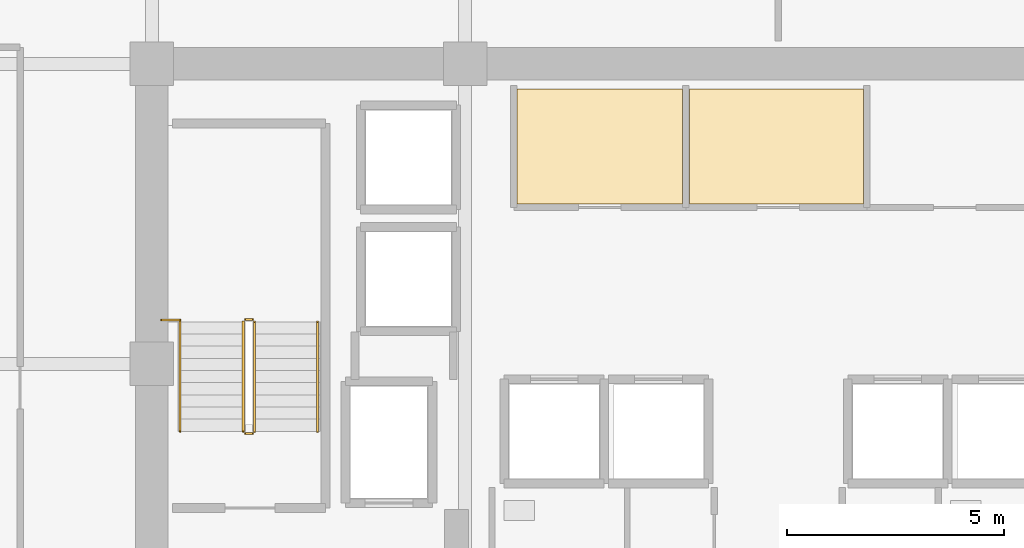
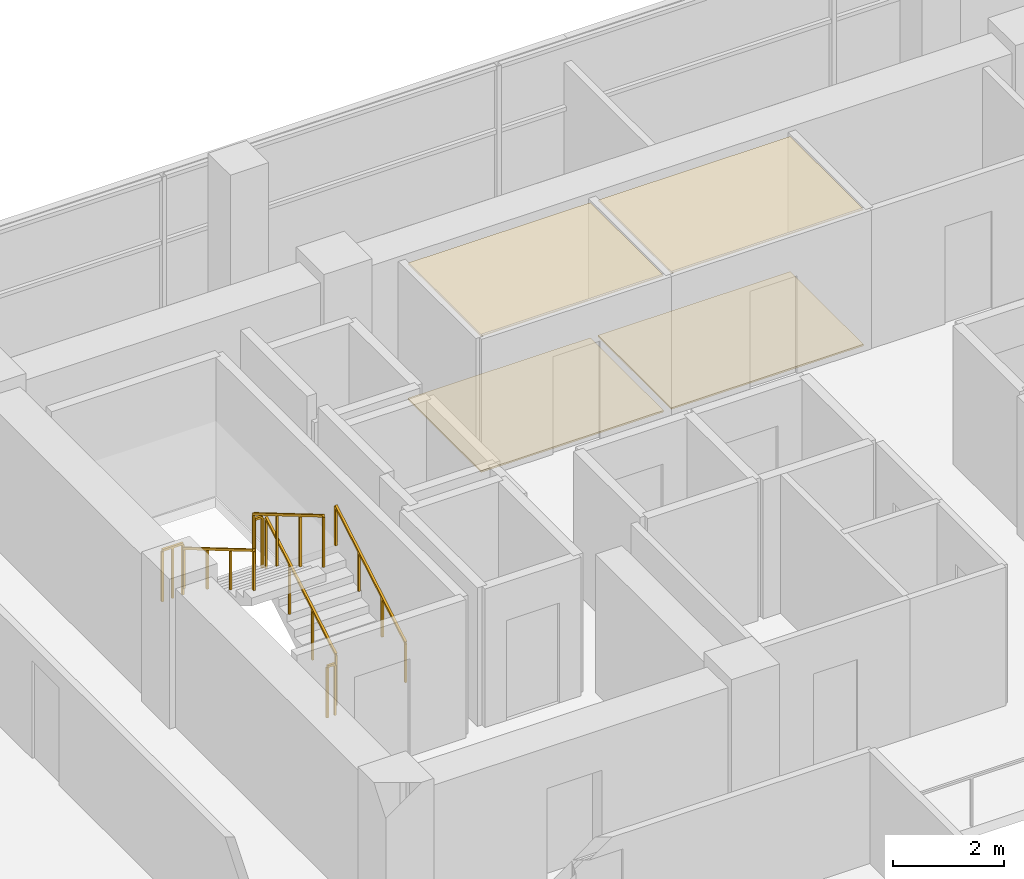
# One storey, part 20 of 22: 7 railings, 4 coverings.
"""IFC4 building model written with IfcOpenShell, lengths in metres."""

import ifcopenshell
import ifcopenshell.guid

model = None  # the IFC model being written
_history = None  # IfcOwnerHistory: only IFC2X3 demands one
_inside = {}  # id of a spatial element -> (the spatial element, [elements in it])
_under = {}  # id of a project, library or spatial element -> (it, [spatial elements below it])
_declared = {}  # id of a project -> (the project, [libraries it declares])
_typed = {}  # id of a type object -> (the type object, [elements of that type])
_made_of = {}  # id of a material, layer set ... -> (it, [elements and type objects made of it])


def new_model(schema):
    """Start an empty IFC model of exactly this schema.

    Asked for "IFC4X3", IfcOpenShell would pick the latest addendum, in which some entities
    have other attributes; the version numbers below select the first issue.
    IFC2X3 requires an IfcOwnerHistory on every rooted entity: one is made here for all.
    """
    global model, _history
    if schema == "IFC4X3":
        model = ifcopenshell.file(schema_version=(4, 3, 0, 0))
    else:
        model = ifcopenshell.file(schema=schema)
    _inside.clear()
    _under.clear()
    _declared.clear()
    _typed.clear()
    _made_of.clear()
    _history = None
    if model.schema == "IFC2X3":
        org = make("IfcOrganization", Name="unknown")
        user = make(
            "IfcPersonAndOrganization",
            ThePerson=make("IfcPerson", FamilyName="unknown"),
            TheOrganization=org,
        )
        app = make(
            "IfcApplication",
            ApplicationDeveloper=org,
            Version="unknown",
            ApplicationFullName="unknown",
            ApplicationIdentifier="unknown",
        )
        _history = make(
            "IfcOwnerHistory",
            OwningUser=user,
            OwningApplication=app,
            ChangeAction="ADDED",
            CreationDate=0,
        )
    return model


def make(cls, **values):
    """One entity of the class cls with the attributes given. An attribute that is None is left unset."""
    return model.create_entity(
        cls, **{name: value for name, value in values.items() if value is not None}
    )


def rooted(cls, **values):
    """An entity with a GlobalId (a new one), such as an element, a storey or a relation."""
    return make(cls, GlobalId=ifcopenshell.guid.new(), OwnerHistory=_history, **values)


def si_unit(unit_type, name, prefix=None):
    """IfcSIUnit, for example si_unit("LENGTHUNIT", "METRE", prefix="MILLI")."""
    return make("IfcSIUnit", UnitType=unit_type, Prefix=prefix, Name=name)


def assignment(units):
    """IfcUnitAssignment: the units of a project."""
    return None if units is None else make("IfcUnitAssignment", Units=units)


def point(xyz):
    """IfcCartesianPoint."""
    return None if xyz is None else make("IfcCartesianPoint", Coordinates=xyz)


def direction(xyz):
    """IfcDirection."""
    return None if xyz is None else make("IfcDirection", DirectionRatios=xyz)


def frame(location, z_axis=None, x_axis=None):
    """IfcAxis2Placement3D, a coordinate frame: its origin and axes. An axis left out is left unset."""
    return make(
        "IfcAxis2Placement3D",
        Location=point(location),
        Axis=direction(z_axis),
        RefDirection=direction(x_axis),
    )


def frame_2d(location, x_axis=None):
    """IfcAxis2Placement2D, a coordinate frame in the plane: its origin and x axis."""
    return make(
        "IfcAxis2Placement2D", Location=point(location), RefDirection=direction(x_axis)
    )


def origin():
    """The frame at (0, 0, 0) with its axes left unset."""
    return frame((0.0, 0.0, 0.0))


def origin_2d():
    """The frame at (0, 0) in the plane with its x axis left unset."""
    return frame_2d((0.0, 0.0))


def place(relative_to, where):
    """IfcLocalPlacement: puts the frame where relative to a parent placement (None: the world)."""
    return make(
        "IfcLocalPlacement", PlacementRelTo=relative_to, RelativePlacement=where
    )


def context(
    kind, dimensions, precision=None, world=None, true_north=None, identifier=None
):
    """IfcGeometricRepresentationContext, for example the 3D "Model" context."""
    return make(
        "IfcGeometricRepresentationContext",
        ContextIdentifier=identifier,
        ContextType=kind,
        CoordinateSpaceDimension=dimensions,
        Precision=precision,
        WorldCoordinateSystem=world,
        TrueNorth=true_north,
    )


def subcontext(parent, identifier, kind, view, scale=None):
    """IfcGeometricRepresentationSubContext, for example "Body" below "Model"."""
    return make(
        "IfcGeometricRepresentationSubContext",
        ContextIdentifier=identifier,
        ContextType=kind,
        ParentContext=parent,
        TargetScale=scale,
        TargetView=view,
    )


def project(units=None, contexts=None):
    """IfcProject with its units and contexts."""
    return rooted(
        "IfcProject",
        Name="project",
        RepresentationContexts=contexts,
        UnitsInContext=assignment(units),
    )


def spatial(cls, under=None, at=None, **own):
    """A site, building, storey or space (cls), placed at a placement, below another one or the project."""
    s = rooted(cls, ObjectPlacement=at, **own)
    if under is not None:
        _under.setdefault(under.id(), (under, []))[1].append(s)
    return s


def polyline(points):
    """IfcPolyline through the points."""
    return make("IfcPolyline", Points=[point(p) for p in points])


def profile(cls, at=None, kind="AREA", **sizes):
    """A parametric profile (cls). Its sizes go by their IFC names, for example OverallWidth=200.0."""
    return make(cls, ProfileType=kind, Position=at, **sizes)


def rectangle(**sizes):
    """IfcRectangleProfileDef."""
    return profile("IfcRectangleProfileDef", **sizes)


def outline(outer, holes=None, kind="AREA"):
    """IfcArbitraryClosedProfileDef: a profile drawn as a closed curve; with holes, ...WithVoids."""
    if holes is None:
        return make("IfcArbitraryClosedProfileDef", ProfileType=kind, OuterCurve=outer)
    return make(
        "IfcArbitraryProfileDefWithVoids",
        ProfileType=kind,
        OuterCurve=outer,
        InnerCurves=holes,
    )


def extrude(swept, where, along, depth):
    """IfcExtrudedAreaSolid: the profile swept, set in the frame where, extruded along a direction by depth."""
    return make(
        "IfcExtrudedAreaSolid",
        SweptArea=swept,
        Position=where,
        ExtrudedDirection=direction(along),
        Depth=depth,
    )


def shape(context_of_items, identifier, shape_type, items):
    """IfcShapeRepresentation: the items that make up one representation, for example the "Body"."""
    return make(
        "IfcShapeRepresentation",
        ContextOfItems=context_of_items,
        RepresentationIdentifier=identifier,
        RepresentationType=shape_type,
        Items=items,
    )


def material(Name=None, Category=None):
    """IfcMaterial."""
    return make("IfcMaterial", Name=Name, Category=Category)


def layer(
    of_material, thickness, ventilated=None, Name=None, Category=None, Priority=None
):
    """IfcMaterialLayer: one layer of a wall or slab, of a material (None: an air gap)."""
    return make(
        "IfcMaterialLayer",
        Material=of_material,
        LayerThickness=thickness,
        IsVentilated=ventilated,
        Name=Name,
        Category=Category,
        Priority=Priority,
    )


def layer_set(layers, Name=None):
    """IfcMaterialLayerSet."""
    return make("IfcMaterialLayerSet", MaterialLayers=layers, LayerSetName=Name)


def made_of(thing, what):
    """Note that an element or type object is made of a material, layer set ...; save() writes the relation."""
    if what is not None:
        _made_of.setdefault(what.id(), (what, []))[1].append(thing)
    return thing


def type_object(cls, material=None, **own):
    """A type object (cls), such as IfcWallType, which elements share."""
    return made_of(rooted(cls, **own), material)


def element(
    cls,
    number,
    at=None,
    inside=None,
    cuts=None,
    type_object=None,
    material=None,
    context=None,
    identifier="Body",
    shape_type=None,
    held_by="IfcProductDefinitionShape",
    body=None,
    shapes=None,
    **own,
):
    """One element of the class cls, such as IfcWall. Its Tag is "e" and its number.

    at: its placement. inside: the storey or other place that contains it. cuts: it is an
    opening in that element (IfcRelVoidsElement). A single representation is given by context,
    identifier, shape_type and body (its items); several are given by shapes. held_by: the class
    of the entity that holds the representations. save() writes the other relations.
    """
    e = rooted(cls, Tag="e%d" % number, ObjectPlacement=at, **own)
    if body is not None:
        shapes = [shape(context, identifier, shape_type, body)]
    if shapes is not None:
        e.Representation = make(held_by, Representations=shapes)
    if inside is not None:
        _inside.setdefault(inside.id(), (inside, []))[1].append(e)
    if cuts is not None:
        rooted(
            "IfcRelVoidsElement", RelatingBuildingElement=cuts, RelatedOpeningElement=e
        )
    if type_object is not None:
        _typed.setdefault(type_object.id(), (type_object, []))[1].append(e)
    return made_of(e, material)


def aggregate(whole, parts):
    """IfcRelAggregates: a whole, such as a stair, and the parts it consists of."""
    return rooted("IfcRelAggregates", RelatingObject=whole, RelatedObjects=parts)


def save(model, path):
    """Write the relations noted so far, then the file.

    IfcRelAggregates (storeys below a building ...), IfcRelContainedInSpatialStructure (elements
    in a storey), IfcRelDefinesByType, IfcRelAssociatesMaterial and IfcRelDeclares: one each for
    every whole, place, type object, material and project.
    """
    for whole, parts in _under.values():
        aggregate(whole, parts)
    for where, things in _inside.values():
        rooted(
            "IfcRelContainedInSpatialStructure",
            RelatedElements=things,
            RelatingStructure=where,
        )
    for kind, things in _typed.values():
        rooted("IfcRelDefinesByType", RelatedObjects=things, RelatingType=kind)
    for what, things in _made_of.values():
        rooted("IfcRelAssociatesMaterial", RelatedObjects=things, RelatingMaterial=what)
    for by, libraries in _declared.values():
        rooted("IfcRelDeclares", RelatingContext=by, RelatedDefinitions=libraries)
    model.write(path)


model = new_model("IFC4")

# Units and contexts
model_context = context("Model", 3, precision=1e-05, world=origin(), true_north=direction((0.0, 1.0)))
body_context = subcontext(model_context, "Body", "Model", "MODEL_VIEW")
ifc_project = project(units=[si_unit("LENGTHUNIT", "METRE"), si_unit("AREAUNIT", "SQUARE_METRE"), si_unit("VOLUMEUNIT", "CUBIC_METRE"), si_unit("PLANEANGLEUNIT", "RADIAN"), si_unit("MASSUNIT", "GRAM", prefix="KILO")], contexts=[model_context])

# Site, building, storey
site_placement = place(None, origin())
site = spatial("IfcSite", under=ifc_project, at=site_placement, CompositionType="ELEMENT")
building_placement = place(site_placement, origin())
building = spatial("IfcBuilding", under=site, at=building_placement, Name="Zarnakvel Exchange Tower", CompositionType="ELEMENT")
storey_placement = place(building_placement, frame((0.0, 0.0, 136.300048828125)))
storey = spatial("IfcBuildingStorey", under=building, at=storey_placement, Name="L38", CompositionType="ELEMENT", Elevation=136.300048828125)

# Coverings
ifc_material_1 = material(Name="Perforated Bronze Acoustic Metal Ceiling", Category="aluminium")
ifc_layer_1 = layer(ifc_material_1, 0.02001953125)
ifc_layer_set_1 = layer_set([ifc_layer_1], Name="Perforated Bronze Acoustic Metal Ceiling")
covering_type_1 = type_object("IfcCoveringType", Name="CLG-01", PredefinedType="CEILING", material=ifc_layer_set_1)
covering_1_placement = place(storey_placement, frame((0.0, 0.0, 2.989990234375)))
element("IfcCovering", 1, at=covering_1_placement, inside=storey, type_object=covering_type_1, Name="L38 Suspended Acoustic Ceiling (Clearing Records Office)", PredefinedType="CEILING", context=body_context, shape_type="SweptSolid", body=[
    extrude(outline(polyline([(-6.0, 12.919921875), (-2.199951171875, 12.919921875), (-2.199951171875, 10.280029296875), (-6.0, 10.280029296875), (-6.0, 12.919921875)])), origin(), (0.0, 0.0, 1.0), 0.02001953125),
])
covering_2_placement = place(storey_placement, frame((0.0, 0.0, 2.989990234375)))
element("IfcCovering", 2, at=covering_2_placement, inside=storey, type_object=covering_type_1, Name="L38 Suspended Acoustic Ceiling (Brokerage Filing Room)", PredefinedType="CEILING", context=body_context, shape_type="SweptSolid", body=[
    extrude(outline(polyline([(-2.0400390625, 12.919921875), (1.9599609375, 12.919921875), (1.9599609375, 10.280029296875), (-2.0400390625, 10.280029296875), (-2.0400390625, 12.919921875)])), origin(), (0.0, 0.0, 1.0), 0.02001953125),
])
ifc_material_2 = material(Name="Heavy-Duty Raised Access Floor Panel", Category="steel")
ifc_layer_2 = layer(ifc_material_2, 0.034912109375)
ifc_layer_set_2 = layer_set([ifc_layer_2], Name="Heavy-Duty Raised Access Floor Panel")
covering_type_2 = type_object("IfcCoveringType", Name="FLR-02", PredefinedType="FLOORING", material=ifc_layer_set_2)
covering_3_placement = place(storey_placement, origin())
element("IfcCovering", 3, at=covering_3_placement, inside=storey, type_object=covering_type_2, Name="L38 Floor Finish (Clearing Records Office)", PredefinedType="FLOORING", context=body_context, shape_type="SweptSolid", body=[
    extrude(outline(polyline([(-6.0, 12.919921875), (-2.199951171875, 12.919921875), (-2.199951171875, 10.280029296875), (-6.0, 10.280029296875), (-6.0, 12.919921875)])), origin(), (0.0, 0.0, 1.0), 0.034912109375),
])
covering_4_placement = place(storey_placement, origin())
element("IfcCovering", 4, at=covering_4_placement, inside=storey, type_object=covering_type_2, Name="L38 Floor Finish (Brokerage Filing Room)", PredefinedType="FLOORING", context=body_context, shape_type="SweptSolid", body=[
    extrude(outline(polyline([(-2.0400390625, 12.919921875), (1.9599609375, 12.919921875), (1.9599609375, 10.280029296875), (-2.0400390625, 10.280029296875), (-2.0400390625, 12.919921875)])), origin(), (0.0, 0.0, 1.0), 0.034912109375),
])

# Railings
ifc_material_3 = material(Name="Brushed Stainless Steel", Category="steel")
railing_type_1 = type_object("IfcRailingType", Name="HR-01", PredefinedType="HANDRAIL", material=ifc_material_3)
railing_1_placement = place(storey_placement, frame((-10.590087890625, 5.050048828125, 0.1650390625)))
element("IfcRailing", 5, at=railing_1_placement, inside=storey, type_object=railing_type_1, Name="L38 ST-01 stair handrail 1", PredefinedType="HANDRAIL", context=body_context, shape_type="SweptSolid", body=[
    extrude(rectangle(XDim=0.048095703125, YDim=0.048095703125, at=origin_2d()), frame((0.0, 0.0, 0.8759765625), z_axis=(0.0, 0.861560626758, 0.507654692109), x_axis=(-1.0, 0.0, 0.0)), (0.0, 0.0, 1.0), 2.925048828125),
    extrude(rectangle(XDim=0.0419921875, YDim=0.0419921875, at=origin_2d()), origin(), (0.0, 0.0, 1.0), 0.851806640625),
    extrude(rectangle(XDim=0.0419921875, YDim=0.0419921875, at=origin_2d()), frame((0.0, 0.840087890625, 0.494873046875)), (0.0, 0.0, 1.0), 0.851806640625),
    extrude(rectangle(XDim=0.0419921875, YDim=0.0419921875, at=origin_2d()), frame((0.0, 1.679931640625, 0.989990234375)), (0.0, 0.0, 1.0), 0.851806640625),
    extrude(rectangle(XDim=0.0419921875, YDim=0.0419921875, at=origin_2d()), frame((0.0, 2.52001953125, 1.48486328125)), (0.0, 0.0, 1.0), 0.851806640625),
])
railing_2_placement = place(storey_placement, frame((-13.75, 7.570068359375, 1.81494140625)))
element("IfcRailing", 6, at=railing_2_placement, inside=storey, type_object=railing_type_1, Name="L38 ST-01 stair handrail 2", PredefinedType="HANDRAIL", context=body_context, shape_type="SweptSolid", body=[
    extrude(rectangle(XDim=0.048095703125, YDim=0.048095703125, at=origin_2d()), frame((0.0, 0.0, 0.8759765625), z_axis=(0.0, -0.86152411907, 0.507716645641), x_axis=(1.0, 0.0, 0.0)), (0.0, 0.0, 1.0), 2.925048828125),
    extrude(rectangle(XDim=0.0419921875, YDim=0.0419921875, at=origin_2d()), origin(), (0.0, 0.0, 1.0), 0.851806640625),
    extrude(rectangle(XDim=0.0419921875, YDim=0.0419921875, at=origin_2d()), frame((0.0, -0.840087890625, 0.4951171875)), (0.0, 0.0, 1.0), 0.851806640625),
    extrude(rectangle(XDim=0.0419921875, YDim=0.0419921875, at=origin_2d()), frame((0.0, -1.679931640625, 0.989990234375)), (0.0, 0.0, 1.0), 0.851806640625),
    extrude(rectangle(XDim=0.0419921875, YDim=0.0419921875, at=origin_2d()), frame((0.0, -2.52001953125, 1.485107421875)), (0.0, 0.0, 1.0), 0.851806640625),
])
ifc_material_4 = material(Name="Architectural Bronze Anodised Aluminium", Category="aluminium")
railing_type_2 = type_object("IfcRailingType", Name="SG-01", PredefinedType="GUARDRAIL", material=ifc_material_4)
railing_3_placement = place(storey_placement, frame((-12.0400390625, 5.050048828125, 0.1650390625)))
element("IfcRailing", 7, at=railing_3_placement, inside=storey, type_object=railing_type_2, Name="L38 ST-01 stair guard 1", PredefinedType="GUARDRAIL", context=body_context, shape_type="SweptSolid", body=[
    extrude(rectangle(XDim=0.048095703125, YDim=0.048095703125, at=origin_2d()), frame((0.0, 0.0, 1.1259765625), z_axis=(0.0, 0.861560626758, 0.507654692109), x_axis=(-1.0, 0.0, 0.0)), (0.0, 0.0, 1.0), 2.925048828125),
    extrude(rectangle(XDim=0.0419921875, YDim=0.0419921875, at=origin_2d()), origin(), (0.0, 0.0, 1.0), 1.101806640625),
    extrude(rectangle(XDim=0.0419921875, YDim=0.0419921875, at=origin_2d()), frame((0.0, 0.840087890625, 0.494873046875)), (0.0, 0.0, 1.0), 1.101806640625),
    extrude(rectangle(XDim=0.0419921875, YDim=0.0419921875, at=origin_2d()), frame((0.0, 1.679931640625, 0.989990234375)), (0.0, 0.0, 1.0), 1.101806640625),
    extrude(rectangle(XDim=0.0419921875, YDim=0.0419921875, at=origin_2d()), frame((0.0, 2.52001953125, 1.48486328125)), (0.0, 0.0, 1.0), 1.101806640625),
])
railing_4_placement = place(storey_placement, frame((-12.090087890625, 7.6201171875, 1.64990234375)))
element("IfcRailing", 8, at=railing_4_placement, inside=storey, type_object=railing_type_2, Name="L38 ST-01 stair guard 2", PredefinedType="GUARDRAIL", context=body_context, shape_type="SweptSolid", body=[
    extrude(rectangle(XDim=0.048095703125, YDim=0.048095703125, at=origin_2d()), frame((0.0, 0.0, 1.1259765625), z_axis=(-1.0, 0.0, 0.0), x_axis=(0.0, -1.0, 0.0)), (0.0, 0.0, 1.0), 0.159912109375),
    extrude(rectangle(XDim=0.0419921875, YDim=0.0419921875, at=origin_2d()), origin(), (0.0, 0.0, 1.0), 1.101806640625),
    extrude(rectangle(XDim=0.0419921875, YDim=0.0419921875, at=origin_2d()), frame((-0.159912109375, 0.0, 0.0)), (0.0, 0.0, 1.0), 1.101806640625),
])
railing_5_placement = place(storey_placement, frame((-12.300048828125, 7.570068359375, 1.81494140625)))
element("IfcRailing", 9, at=railing_5_placement, inside=storey, type_object=railing_type_2, Name="L38 ST-01 stair guard 3", PredefinedType="GUARDRAIL", context=body_context, shape_type="SweptSolid", body=[
    extrude(rectangle(XDim=0.048095703125, YDim=0.048095703125, at=origin_2d()), frame((0.0, 0.0, 1.1259765625), z_axis=(0.0, -0.86152411907, 0.507716645641), x_axis=(1.0, 0.0, 0.0)), (0.0, 0.0, 1.0), 2.925048828125),
    extrude(rectangle(XDim=0.0419921875, YDim=0.0419921875, at=origin_2d()), origin(), (0.0, 0.0, 1.0), 1.101806640625),
    extrude(rectangle(XDim=0.0419921875, YDim=0.0419921875, at=origin_2d()), frame((0.0, -0.840087890625, 0.4951171875)), (0.0, 0.0, 1.0), 1.101806640625),
    extrude(rectangle(XDim=0.0419921875, YDim=0.0419921875, at=origin_2d()), frame((0.0, -1.679931640625, 0.989990234375)), (0.0, 0.0, 1.0), 1.101806640625),
    extrude(rectangle(XDim=0.0419921875, YDim=0.0419921875, at=origin_2d()), frame((0.0, -2.52001953125, 1.485107421875)), (0.0, 0.0, 1.0), 1.101806640625),
])
railing_6_placement = place(storey_placement, frame((-12.090087890625, 5.0, 0.0)))
element("IfcRailing", 10, at=railing_6_placement, inside=storey, type_object=railing_type_2, Name="L38 ST-01 stair guard 4", PredefinedType="GUARDRAIL", context=body_context, shape_type="SweptSolid", body=[
    extrude(rectangle(XDim=0.048095703125, YDim=0.048095703125, at=origin_2d()), frame((0.0, 0.0, 1.1259765625), z_axis=(-1.0, 0.0, 0.0), x_axis=(0.0, -1.0, 0.0)), (0.0, 0.0, 1.0), 0.159912109375),
    extrude(rectangle(XDim=0.0419921875, YDim=0.0419921875, at=origin_2d()), origin(), (0.0, 0.0, 1.0), 1.101806640625),
    extrude(rectangle(XDim=0.0419921875, YDim=0.0419921875, at=origin_2d()), frame((-0.159912109375, 0.0, 0.0)), (0.0, 0.0, 1.0), 1.101806640625),
])
railing_7_placement = place(storey_placement, frame((-14.179931640625, 7.610107421875, 1.64990234375)))
element("IfcRailing", 11, at=railing_7_placement, inside=storey, type_object=railing_type_2, Name="L38 ST-01 Landing Slot Guardrail", PredefinedType="GUARDRAIL", context=body_context, shape_type="SweptSolid", body=[
    extrude(rectangle(XDim=0.048095703125, YDim=0.048095703125, at=origin_2d()), frame((0.0, 0.0, 1.1259765625), z_axis=(1.0, 0.0, 0.0), x_axis=(0.0, 1.0, 0.0)), (0.0, 0.0, 1.0), 0.429931640625),
    extrude(rectangle(XDim=0.0419921875, YDim=0.0419921875, at=origin_2d()), origin(), (0.0, 0.0, 1.0), 1.101806640625),
    extrude(rectangle(XDim=0.0419921875, YDim=0.0419921875, at=origin_2d()), frame((0.21484375, 0.0, 0.0)), (0.0, 0.0, 1.0), 1.101806640625),
    extrude(rectangle(XDim=0.0419921875, YDim=0.0419921875, at=origin_2d()), frame((0.429931640625, 0.0, 0.0)), (0.0, 0.0, 1.0), 1.101806640625),
])

save(model, "model.ifc")
